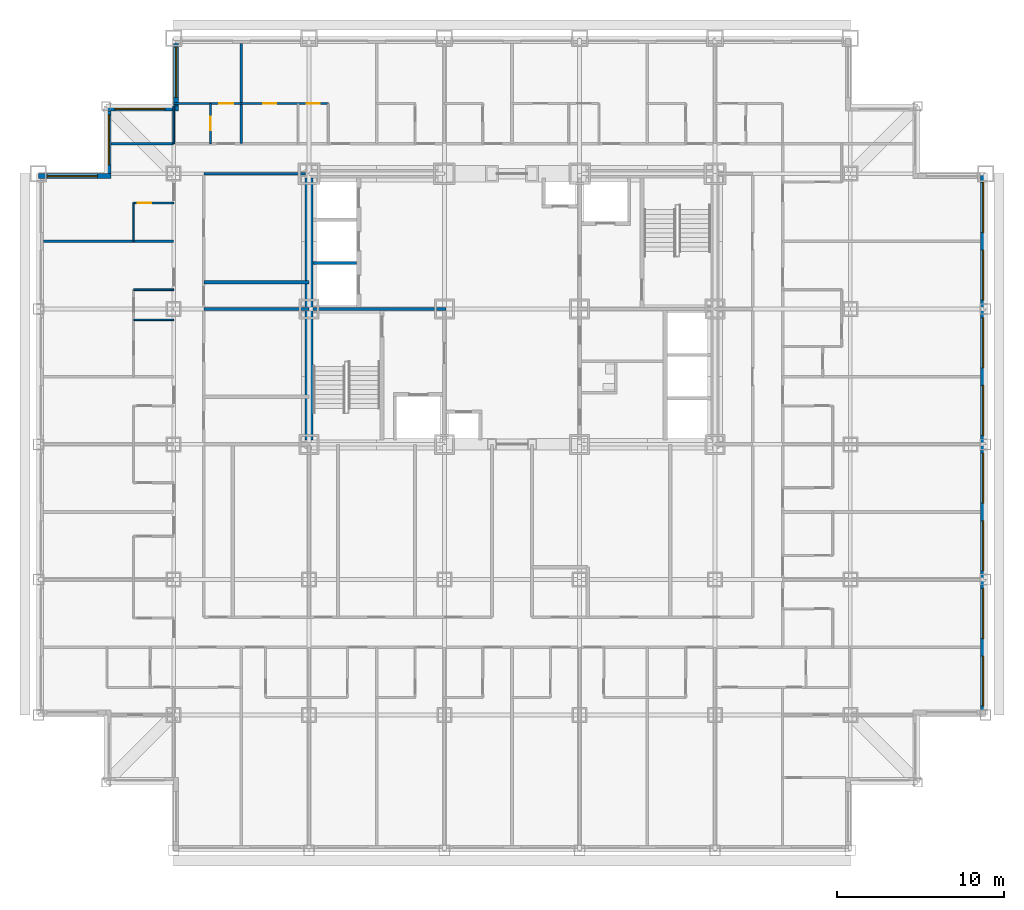
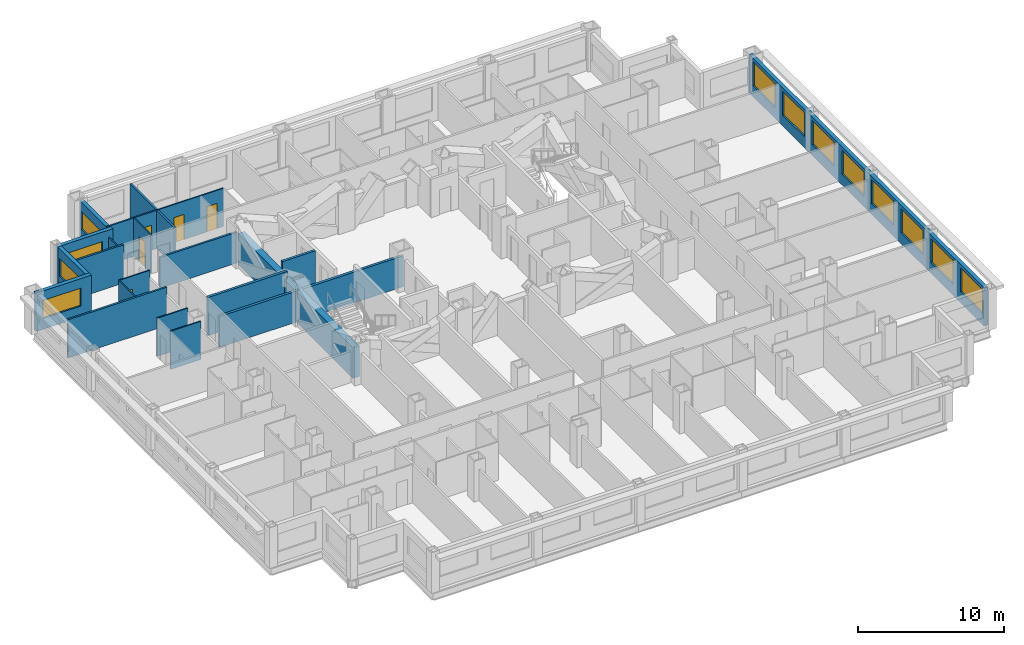
# One storey, part 8 of 13: 22 walls, 12 windows, 5 doors, 17 openings.
"""IFC4 building model written with IfcOpenShell, lengths in metres."""

import ifcopenshell
import ifcopenshell.guid

model = None  # the IFC model being written
_history = None  # IfcOwnerHistory: only IFC2X3 demands one
_inside = {}  # id of a spatial element -> (the spatial element, [elements in it])
_under = {}  # id of a project, library or spatial element -> (it, [spatial elements below it])
_declared = {}  # id of a project -> (the project, [libraries it declares])
_typed = {}  # id of a type object -> (the type object, [elements of that type])
_made_of = {}  # id of a material, layer set ... -> (it, [elements and type objects made of it])


def new_model(schema):
    """Start an empty IFC model of exactly this schema.

    Asked for "IFC4X3", IfcOpenShell would pick the latest addendum, in which some entities
    have other attributes; the version numbers below select the first issue.
    IFC2X3 requires an IfcOwnerHistory on every rooted entity: one is made here for all.
    """
    global model, _history
    if schema == "IFC4X3":
        model = ifcopenshell.file(schema_version=(4, 3, 0, 0))
    else:
        model = ifcopenshell.file(schema=schema)
    _inside.clear()
    _under.clear()
    _declared.clear()
    _typed.clear()
    _made_of.clear()
    _history = None
    if model.schema == "IFC2X3":
        org = make("IfcOrganization", Name="unknown")
        user = make(
            "IfcPersonAndOrganization",
            ThePerson=make("IfcPerson", FamilyName="unknown"),
            TheOrganization=org,
        )
        app = make(
            "IfcApplication",
            ApplicationDeveloper=org,
            Version="unknown",
            ApplicationFullName="unknown",
            ApplicationIdentifier="unknown",
        )
        _history = make(
            "IfcOwnerHistory",
            OwningUser=user,
            OwningApplication=app,
            ChangeAction="ADDED",
            CreationDate=0,
        )
    return model


def make(cls, **values):
    """One entity of the class cls with the attributes given. An attribute that is None is left unset."""
    return model.create_entity(
        cls, **{name: value for name, value in values.items() if value is not None}
    )


def rooted(cls, **values):
    """An entity with a GlobalId (a new one), such as an element, a storey or a relation."""
    return make(cls, GlobalId=ifcopenshell.guid.new(), OwnerHistory=_history, **values)


def si_unit(unit_type, name, prefix=None):
    """IfcSIUnit, for example si_unit("LENGTHUNIT", "METRE", prefix="MILLI")."""
    return make("IfcSIUnit", UnitType=unit_type, Prefix=prefix, Name=name)


def assignment(units):
    """IfcUnitAssignment: the units of a project."""
    return None if units is None else make("IfcUnitAssignment", Units=units)


def point(xyz):
    """IfcCartesianPoint."""
    return None if xyz is None else make("IfcCartesianPoint", Coordinates=xyz)


def direction(xyz):
    """IfcDirection."""
    return None if xyz is None else make("IfcDirection", DirectionRatios=xyz)


def frame(location, z_axis=None, x_axis=None):
    """IfcAxis2Placement3D, a coordinate frame: its origin and axes. An axis left out is left unset."""
    return make(
        "IfcAxis2Placement3D",
        Location=point(location),
        Axis=direction(z_axis),
        RefDirection=direction(x_axis),
    )


def frame_2d(location, x_axis=None):
    """IfcAxis2Placement2D, a coordinate frame in the plane: its origin and x axis."""
    return make(
        "IfcAxis2Placement2D", Location=point(location), RefDirection=direction(x_axis)
    )


def origin():
    """The frame at (0, 0, 0) with its axes left unset."""
    return frame((0.0, 0.0, 0.0))


def place(relative_to, where):
    """IfcLocalPlacement: puts the frame where relative to a parent placement (None: the world)."""
    return make(
        "IfcLocalPlacement", PlacementRelTo=relative_to, RelativePlacement=where
    )


def context(
    kind, dimensions, precision=None, world=None, true_north=None, identifier=None
):
    """IfcGeometricRepresentationContext, for example the 3D "Model" context."""
    return make(
        "IfcGeometricRepresentationContext",
        ContextIdentifier=identifier,
        ContextType=kind,
        CoordinateSpaceDimension=dimensions,
        Precision=precision,
        WorldCoordinateSystem=world,
        TrueNorth=true_north,
    )


def subcontext(parent, identifier, kind, view, scale=None):
    """IfcGeometricRepresentationSubContext, for example "Body" below "Model"."""
    return make(
        "IfcGeometricRepresentationSubContext",
        ContextIdentifier=identifier,
        ContextType=kind,
        ParentContext=parent,
        TargetScale=scale,
        TargetView=view,
    )


def project(units=None, contexts=None):
    """IfcProject with its units and contexts."""
    return rooted(
        "IfcProject",
        Name="project",
        RepresentationContexts=contexts,
        UnitsInContext=assignment(units),
    )


def spatial(cls, under=None, at=None, **own):
    """A site, building, storey or space (cls), placed at a placement, below another one or the project."""
    s = rooted(cls, ObjectPlacement=at, **own)
    if under is not None:
        _under.setdefault(under.id(), (under, []))[1].append(s)
    return s


def profile(cls, at=None, kind="AREA", **sizes):
    """A parametric profile (cls). Its sizes go by their IFC names, for example OverallWidth=200.0."""
    return make(cls, ProfileType=kind, Position=at, **sizes)


def rectangle(**sizes):
    """IfcRectangleProfileDef."""
    return profile("IfcRectangleProfileDef", **sizes)


def extrude(swept, where, along, depth):
    """IfcExtrudedAreaSolid: the profile swept, set in the frame where, extruded along a direction by depth."""
    return make(
        "IfcExtrudedAreaSolid",
        SweptArea=swept,
        Position=where,
        ExtrudedDirection=direction(along),
        Depth=depth,
    )


def shape(context_of_items, identifier, shape_type, items):
    """IfcShapeRepresentation: the items that make up one representation, for example the "Body"."""
    return make(
        "IfcShapeRepresentation",
        ContextOfItems=context_of_items,
        RepresentationIdentifier=identifier,
        RepresentationType=shape_type,
        Items=items,
    )


def material(Name=None, Category=None):
    """IfcMaterial."""
    return make("IfcMaterial", Name=Name, Category=Category)


def layer(
    of_material, thickness, ventilated=None, Name=None, Category=None, Priority=None
):
    """IfcMaterialLayer: one layer of a wall or slab, of a material (None: an air gap)."""
    return make(
        "IfcMaterialLayer",
        Material=of_material,
        LayerThickness=thickness,
        IsVentilated=ventilated,
        Name=Name,
        Category=Category,
        Priority=Priority,
    )


def layer_set(layers, Name=None):
    """IfcMaterialLayerSet."""
    return make("IfcMaterialLayerSet", MaterialLayers=layers, LayerSetName=Name)


def made_of(thing, what):
    """Note that an element or type object is made of a material, layer set ...; save() writes the relation."""
    if what is not None:
        _made_of.setdefault(what.id(), (what, []))[1].append(thing)
    return thing


def type_object(cls, material=None, **own):
    """A type object (cls), such as IfcWallType, which elements share."""
    return made_of(rooted(cls, **own), material)


def element(
    cls,
    number,
    at=None,
    inside=None,
    cuts=None,
    type_object=None,
    material=None,
    context=None,
    identifier="Body",
    shape_type=None,
    held_by="IfcProductDefinitionShape",
    body=None,
    shapes=None,
    **own,
):
    """One element of the class cls, such as IfcWall. Its Tag is "e" and its number.

    at: its placement. inside: the storey or other place that contains it. cuts: it is an
    opening in that element (IfcRelVoidsElement). A single representation is given by context,
    identifier, shape_type and body (its items); several are given by shapes. held_by: the class
    of the entity that holds the representations. save() writes the other relations.
    """
    e = rooted(cls, Tag="e%d" % number, ObjectPlacement=at, **own)
    if body is not None:
        shapes = [shape(context, identifier, shape_type, body)]
    if shapes is not None:
        e.Representation = make(held_by, Representations=shapes)
    if inside is not None:
        _inside.setdefault(inside.id(), (inside, []))[1].append(e)
    if cuts is not None:
        rooted(
            "IfcRelVoidsElement", RelatingBuildingElement=cuts, RelatedOpeningElement=e
        )
    if type_object is not None:
        _typed.setdefault(type_object.id(), (type_object, []))[1].append(e)
    return made_of(e, material)


def fill(opening, filler):
    """IfcRelFillsElement: the door or window that sits in an opening."""
    return rooted(
        "IfcRelFillsElement",
        RelatingOpeningElement=opening,
        RelatedBuildingElement=filler,
    )


def aggregate(whole, parts):
    """IfcRelAggregates: a whole, such as a stair, and the parts it consists of."""
    return rooted("IfcRelAggregates", RelatingObject=whole, RelatedObjects=parts)


def save(model, path):
    """Write the relations noted so far, then the file.

    IfcRelAggregates (storeys below a building ...), IfcRelContainedInSpatialStructure (elements
    in a storey), IfcRelDefinesByType, IfcRelAssociatesMaterial and IfcRelDeclares: one each for
    every whole, place, type object, material and project.
    """
    for whole, parts in _under.values():
        aggregate(whole, parts)
    for where, things in _inside.values():
        rooted(
            "IfcRelContainedInSpatialStructure",
            RelatedElements=things,
            RelatingStructure=where,
        )
    for kind, things in _typed.values():
        rooted("IfcRelDefinesByType", RelatedObjects=things, RelatingType=kind)
    for what, things in _made_of.values():
        rooted("IfcRelAssociatesMaterial", RelatedObjects=things, RelatingMaterial=what)
    for by, libraries in _declared.values():
        rooted("IfcRelDeclares", RelatingContext=by, RelatedDefinitions=libraries)
    model.write(path)


model = new_model("IFC4")

# Units and contexts
model_context = context("Model", 3, precision=1e-05, world=origin(), true_north=direction((0.0, 1.0)))
body_context = subcontext(model_context, "Body", "Model", "MODEL_VIEW")
ifc_project = project(units=[si_unit("LENGTHUNIT", "METRE"), si_unit("AREAUNIT", "SQUARE_METRE"), si_unit("VOLUMEUNIT", "CUBIC_METRE"), si_unit("PLANEANGLEUNIT", "RADIAN"), si_unit("MASSUNIT", "GRAM", prefix="KILO")], contexts=[model_context])

# Site, building, storey
site_placement = place(None, origin())
site = spatial("IfcSite", under=ifc_project, at=site_placement, CompositionType="ELEMENT")
building_placement = place(site_placement, origin())
building = spatial("IfcBuilding", under=site, at=building_placement, Name="Kopane Lantern Tower", CompositionType="ELEMENT")
storey_placement = place(building_placement, frame((0.0, 0.0, 63.60009765625)))
storey = spatial("IfcBuildingStorey", under=building, at=storey_placement, Name="L15", CompositionType="ELEMENT", Elevation=63.60009765625)

# Wall, opening, door
ifc_material_1 = material(Name="Gypsum board on steel studs", Category="steel")
ifc_layer_1 = layer(ifc_material_1, 0.1201171875)
ifc_layer_set_1 = layer_set([ifc_layer_1], Name="APARTMENT INTERNAL WALL 120")
wall_type_1 = type_object("IfcWallType", Name="APARTMENT INTERNAL WALL 120", PredefinedType="PARTITIONING", material=ifc_layer_set_1)
wall_1_placement = place(storey_placement, frame((8.10009765625, 44.699951171875, 0.0), z_axis=(0.0, 0.0, 1.0), x_axis=(1.0, 0.0, 0.0)))
wall_1 = element("IfcWall", 1, at=wall_1_placement, inside=storey, type_object=wall_type_1, Name="Apartment Internal Wall 120 L15", PredefinedType="PARTITIONING", context=body_context, shape_type="SweptSolid", body=[
    extrude(rectangle(XDim=4.0498046875, YDim=0.1201171875, at=frame_2d((2.02490234375, 0.0))), origin(), (0.0, 0.0, 1.0), 3.18994140625),
])
opening_1_placement = place(wall_1_placement, frame((2.72509765625, 0.0, 0.0)))
opening_1 = element("IfcOpeningElement", 2, at=opening_1_placement, cuts=wall_1, Name="Opening L15-082", PredefinedType="OPENING", context=body_context, shape_type="SweptSolid", body=[
    extrude(rectangle(XDim=0.85009765625, YDim=2.10009765625, at=frame_2d((0.425048828125, 1.050048828125))), frame((0.0, 0.070068359375, 0.0), z_axis=(0.0, -1.0, 0.0), x_axis=(1.0, 0.0, 0.0)), (0.0, 0.0, 1.0), 0.14013671875),
])
ifc_material_2 = material(Name="Timber door set", Category="wood")
door_type_1 = type_object("IfcDoorType", Name="DOOR D4 850x2100", OperationType="SINGLE_SWING_LEFT", PredefinedType="DOOR", material=ifc_material_2)
door_1_placement = place(opening_1_placement, origin())
door_1 = element("IfcDoor", 3, at=door_1_placement, inside=storey, type_object=door_type_1, Name="Door L15-082", OperationType="SINGLE_SWING_LEFT", OverallHeight=2.10009765625, OverallWidth=0.85009765625, PredefinedType="DOOR", context=body_context, shape_type="SweptSolid", body=[
    extrude(rectangle(XDim=0.85009765625, YDim=2.10009765625, at=frame_2d((0.425048828125, 1.050048828125))), frame((0.0, 0.02490234375, 0.0), z_axis=(0.0, -1.0, 0.0), x_axis=(1.0, 0.0, 0.0)), (0.0, 0.0, 1.0), 0.050048828125),
])
fill(opening_1, door_1)

# Wall, openings, doors
ifc_material_3 = material(Name="Moisture-resistant board on steel studs", Category="steel")
ifc_layer_2 = layer(ifc_material_3, 0.10009765625)
ifc_layer_set_2 = layer_set([ifc_layer_2], Name="BATHROOM WALL 100")
wall_type_2 = type_object("IfcWallType", Name="BATHROOM WALL 100", PredefinedType="PARTITIONING", material=ifc_layer_set_2)
wall_2_placement = place(storey_placement, frame((12.14990234375, 44.699951171875, 0.0), z_axis=(0.0, 0.0, 1.0), x_axis=(1.0, 0.0, 0.0)))
wall_2 = element("IfcWall", 4, at=wall_2_placement, inside=storey, type_object=wall_type_2, Name="Bathroom Wall 100 L15", PredefinedType="PARTITIONING", context=body_context, shape_type="SweptSolid", body=[
    extrude(rectangle(XDim=5.2001953125, YDim=0.10009765625, at=frame_2d((2.60009765625, 0.0))), origin(), (0.0, 0.0, 1.0), 3.18994140625),
])
opening_2_placement = place(wall_2_placement, frame((1.300048828125, 0.0, 0.0)))
opening_2 = element("IfcOpeningElement", 5, at=opening_2_placement, cuts=wall_2, Name="Opening L15-029", PredefinedType="OPENING", context=body_context, shape_type="SweptSolid", body=[
    extrude(rectangle(XDim=0.800048828125, YDim=2.10009765625, at=frame_2d((0.39990234375, 1.050048828125))), frame((0.0, 0.06005859375, 0.0), z_axis=(0.0, -1.0, 0.0), x_axis=(1.0, 0.0, 0.0)), (0.0, 0.0, 1.0), 0.1201171875),
])
opening_3_placement = place(wall_2_placement, frame((3.89990234375, 0.0, 0.0)))
opening_3 = element("IfcOpeningElement", 6, at=opening_3_placement, cuts=wall_2, Name="Opening L15-030", PredefinedType="OPENING", context=body_context, shape_type="SweptSolid", body=[
    extrude(rectangle(XDim=0.800048828125, YDim=2.10009765625, at=frame_2d((0.39990234375, 1.050048828125))), frame((0.0, 0.06005859375, 0.0), z_axis=(0.0, -1.0, 0.0), x_axis=(1.0, 0.0, 0.0)), (0.0, 0.0, 1.0), 0.1201171875),
])
ifc_material_4 = material(Name="Timber door set", Category="wood")
door_type_2 = type_object("IfcDoorType", Name="DOOR D2 800x2100", OperationType="SINGLE_SWING_LEFT", PredefinedType="DOOR", material=ifc_material_4)
door_2_placement = place(opening_2_placement, origin())
door_2 = element("IfcDoor", 7, at=door_2_placement, inside=storey, type_object=door_type_2, Name="Door L15-029", OperationType="SINGLE_SWING_LEFT", OverallHeight=2.10009765625, OverallWidth=0.800048828125, PredefinedType="DOOR", context=body_context, shape_type="SweptSolid", body=[
    extrude(rectangle(XDim=0.800048828125, YDim=2.10009765625, at=frame_2d((0.39990234375, 1.050048828125))), frame((0.0, 0.02490234375, 0.0), z_axis=(0.0, -1.0, 0.0), x_axis=(1.0, 0.0, 0.0)), (0.0, 0.0, 1.0), 0.050048828125),
])
fill(opening_2, door_2)
door_3_placement = place(opening_3_placement, origin())
door_3 = element("IfcDoor", 8, at=door_3_placement, inside=storey, type_object=door_type_2, Name="Door L15-030", OperationType="SINGLE_SWING_LEFT", OverallHeight=2.10009765625, OverallWidth=0.800048828125, PredefinedType="DOOR", context=body_context, shape_type="SweptSolid", body=[
    extrude(rectangle(XDim=0.800048828125, YDim=2.10009765625, at=frame_2d((0.39990234375, 1.050048828125))), frame((0.0, 0.02490234375, 0.0), z_axis=(0.0, -1.0, 0.0), x_axis=(1.0, 0.0, 0.0)), (0.0, 0.0, 1.0), 0.050048828125),
])
fill(opening_3, door_3)

# Walls
for number, where, z_axis, x_axis, name in (
    (9, (8.10009765625, 31.75, 0.0), (0.0, 0.0, 1.0), (-1.0, 0.0, 0.0), "Bathroom Wall 100 L15"),
    (10, (8.10009765625, 33.550048828125, 0.0), (0.0, 0.0, 1.0), (-1.0, 0.0, 0.0), "Bathroom Wall 100 L15"),
):
    element("IfcWall", number, at=place(storey_placement, frame(where, z_axis=z_axis, x_axis=x_axis)), inside=storey, type_object=wall_type_2, Name=name, PredefinedType="PARTITIONING", context=body_context, shape_type="SweptSolid", body=[
        extrude(rectangle(XDim=2.400146484375, YDim=0.10009765625, at=frame_2d((1.2001953125, 0.0))), origin(), (0.0, 0.0, 1.0), 3.18994140625),
    ])
wall_3_placement = place(storey_placement, frame((5.699951171875, 36.449951171875, 0.0), z_axis=(0.0, 0.0, 1.0), x_axis=(0.0, 1.0, 0.0)))
element("IfcWall", 11, at=wall_3_placement, inside=storey, type_object=wall_type_2, Name="Bathroom Wall 100 L15", PredefinedType="PARTITIONING", context=body_context, shape_type="SweptSolid", body=[
    extrude(rectangle(XDim=2.300048828125, YDim=0.10009765625, at=frame_2d((1.14990234375, 0.0))), origin(), (0.0, 0.0, 1.0), 3.18994140625),
])

# Wall, opening, door
wall_4_placement = place(storey_placement, frame((8.10009765625, 38.75, 0.0), z_axis=(0.0, 0.0, 1.0), x_axis=(-1.0, 0.0, 0.0)))
wall_4 = element("IfcWall", 12, at=wall_4_placement, inside=storey, type_object=wall_type_2, Name="Bathroom Wall 100 L15", PredefinedType="PARTITIONING", context=body_context, shape_type="SweptSolid", body=[
    extrude(rectangle(XDim=2.400146484375, YDim=0.10009765625, at=frame_2d((1.2001953125, 0.0))), origin(), (0.0, 0.0, 1.0), 3.18994140625),
])
opening_4_placement = place(wall_4_placement, frame((1.35009765625, 0.0, 0.0)))
opening_4 = element("IfcOpeningElement", 13, at=opening_4_placement, cuts=wall_4, Name="Opening L15-052", PredefinedType="OPENING", context=body_context, shape_type="SweptSolid", body=[
    extrude(rectangle(XDim=0.800048828125, YDim=2.10009765625, at=frame_2d((0.39990234375, 1.050048828125))), frame((0.0, 0.06005859375, 0.0), z_axis=(0.0, -1.0, 0.0), x_axis=(1.0, 0.0, 0.0)), (0.0, 0.0, 1.0), 0.1201171875),
])
door_4_placement = place(opening_4_placement, origin())
door_4 = element("IfcDoor", 14, at=door_4_placement, inside=storey, type_object=door_type_2, Name="Door L15-052", OperationType="SINGLE_SWING_RIGHT", OverallHeight=2.10009765625, OverallWidth=0.800048828125, PredefinedType="DOOR", context=body_context, shape_type="SweptSolid", body=[
    extrude(rectangle(XDim=0.800048828125, YDim=2.10009765625, at=frame_2d((0.39990234375, 1.050048828125))), frame((0.0, 0.02490234375, 0.0), z_axis=(0.0, -1.0, 0.0), x_axis=(1.0, 0.0, 0.0)), (0.0, 0.0, 1.0), 0.050048828125),
])
fill(opening_4, door_4)

wall_5_placement = place(storey_placement, frame((10.300048828125, 42.300048828125, 0.0), z_axis=(0.0, 0.0, 1.0), x_axis=(0.0, 1.0, 0.0)))
wall_5 = element("IfcWall", 15, at=wall_5_placement, inside=storey, type_object=wall_type_2, Name="Bathroom Wall 100 L15", PredefinedType="PARTITIONING", context=body_context, shape_type="SweptSolid", body=[
    extrude(rectangle(XDim=2.39990234375, YDim=0.10009765625, at=frame_2d((1.199951171875, 0.0))), origin(), (0.0, 0.0, 1.0), 3.18994140625),
])
opening_5_placement = place(wall_5_placement, frame((0.800048828125, 0.0, 0.0)))
opening_5 = element("IfcOpeningElement", 16, at=opening_5_placement, cuts=wall_5, Name="Opening L15-080", PredefinedType="OPENING", context=body_context, shape_type="SweptSolid", body=[
    extrude(rectangle(XDim=0.800048828125, YDim=2.10009765625, at=frame_2d((0.39990234375, 1.050048828125))), frame((0.0, 0.06005859375, 0.0), z_axis=(0.0, -1.0, 0.0), x_axis=(1.0, 0.0, 0.0)), (0.0, 0.0, 1.0), 0.1201171875),
])
door_5_placement = place(opening_5_placement, origin())
door_5 = element("IfcDoor", 17, at=door_5_placement, inside=storey, type_object=door_type_2, Name="Door L15-080", OperationType="SINGLE_SWING_LEFT", OverallHeight=2.10009765625, OverallWidth=0.800048828125, PredefinedType="DOOR", context=body_context, shape_type="SweptSolid", body=[
    extrude(rectangle(XDim=0.800048828125, YDim=2.10009765625, at=frame_2d((0.39990234375, 1.050048828125))), frame((0.0, 0.02490234375, 0.0), z_axis=(0.0, -1.0, 0.0), x_axis=(1.0, 0.0, 0.0)), (0.0, 0.0, 1.0), 0.050048828125),
])
fill(opening_5, door_5)

# Walls
wall_6_placement = place(storey_placement, frame((8.10009765625, 42.300048828125, 0.0), z_axis=(0.0, 0.0, 1.0), x_axis=(0.0, 1.0, 0.0)))
element("IfcWall", 18, at=wall_6_placement, inside=storey, type_object=wall_type_2, Name="Bathroom Wall 100 L15", PredefinedType="PARTITIONING", context=body_context, shape_type="SweptSolid", body=[
    extrude(rectangle(XDim=2.25, YDim=0.10009765625, at=frame_2d((1.125, 0.0))), origin(), (0.0, 0.0, 1.0), 2.57763671875),
])
ifc_material_5 = material(Name="Gypsum shaft wall EI 120", Category="gypsum")
ifc_layer_3 = layer(ifc_material_5, 0.5)
ifc_layer_set_3 = layer_set([ifc_layer_3], Name="CORE PERIMETER WALL 500 EI 120")
wall_type_3 = type_object("IfcWallType", Name="CORE PERIMETER WALL 500 EI 120", PredefinedType="SOLIDWALL", material=ifc_layer_set_3)
wall_7_placement = place(storey_placement, frame((16.199951171875, 24.550048828125, 0.0), z_axis=(0.0, 0.0, 1.0), x_axis=(0.0, 1.0, 0.0)))
element("IfcWall", 19, at=wall_7_placement, inside=storey, type_object=wall_type_3, Name="Core shaft wall L15 PW", PredefinedType="SOLIDWALL", context=body_context, shape_type="SweptSolid", body=[
    extrude(rectangle(XDim=15.699951171875, YDim=0.5, at=frame_2d((7.85009765625, 0.0))), origin(), (0.0, 0.0, 1.0), 2.57763671875),
])
ifc_material_6 = material(Name="Gypsum board on steel studs", Category="steel")
ifc_layer_4 = layer(ifc_material_6, 0.14990234375)
ifc_layer_set_4 = layer_set([ifc_layer_4], Name="CORRIDOR WALL 150 EI 60")
wall_type_4 = type_object("IfcWallType", Name="CORRIDOR WALL 150 EI 60", PredefinedType="PARTITIONING", material=ifc_layer_set_4)
wall_8_placement = place(storey_placement, frame((16.0, 40.5, 0.0), z_axis=(0.0, 0.0, 1.0), x_axis=(-1.0, 0.0, 0.0)))
element("IfcWall", 20, at=wall_8_placement, inside=storey, type_object=wall_type_4, Name="Corridor Wall 150 Ei 60 L15", PredefinedType="PARTITIONING", context=body_context, shape_type="SweptSolid", body=[
    extrude(rectangle(XDim=6.10009765625, YDim=0.14990234375, at=frame_2d((3.050048828125, 0.0))), origin(), (0.0, 0.0, 1.0), 2.57763671875),
])
ifc_material_7 = material(Name="Gypsum board on steel studs", Category="steel")
ifc_layer_5 = layer(ifc_material_7, 0.14990234375)
ifc_layer_set_5 = layer_set([ifc_layer_5], Name="DEMISING WALL 150 EI 60")
wall_type_5 = type_object("IfcWallType", Name="DEMISING WALL 150 EI 60", PredefinedType="PARTITIONING", material=ifc_layer_set_5)
wall_9_placement = place(storey_placement, frame((8.10009765625, 36.449951171875, 0.0), z_axis=(0.0, 0.0, 1.0), x_axis=(-1.0, 0.0, 0.0)))
element("IfcWall", 21, at=wall_9_placement, inside=storey, type_object=wall_type_5, Name="Demising Wall 150 Ei 60 L15", PredefinedType="PARTITIONING", context=body_context, shape_type="SweptSolid", body=[
    extrude(rectangle(XDim=7.800048828125, YDim=0.14990234375, at=frame_2d((3.89990234375, 0.0))), origin(), (0.0, 0.0, 1.0), 3.18994140625),
])
wall_10_placement = place(storey_placement, frame((4.35009765625, 42.300048828125, 0.0), z_axis=(0.0, 0.0, 1.0), x_axis=(1.0, 0.0, 0.0)))
element("IfcWall", 22, at=wall_10_placement, inside=storey, type_object=wall_type_5, Name="Demising Wall 150 Ei 60 L15", PredefinedType="PARTITIONING", context=body_context, shape_type="SweptSolid", body=[
    extrude(rectangle(XDim=3.75, YDim=0.14990234375, at=frame_2d((1.875, 0.0))), origin(), (0.0, 0.0, 1.0), 3.18994140625),
])
wall_11_placement = place(storey_placement, frame((12.14990234375, 42.300048828125, 0.0), z_axis=(0.0, 0.0, 1.0), x_axis=(0.0, 1.0, 0.0)))
element("IfcWall", 23, at=wall_11_placement, inside=storey, type_object=wall_type_5, Name="Demising Wall 150 Ei 60 L15", PredefinedType="PARTITIONING", context=body_context, shape_type="SweptSolid", body=[
    extrude(rectangle(XDim=6.0, YDim=0.14990234375, at=frame_2d((3.0, 0.0))), origin(), (0.0, 0.0, 1.0), 3.18994140625),
])

# Wall, openings, windows
ifc_material_8 = material(Name="Terracotta rainscreen on light steel framing", Category="masonry")
ifc_layer_6 = layer(ifc_material_8, 0.300048828125)
ifc_layer_set_6 = layer_set([ifc_layer_6], Name="EXTERNAL WALL EW1 300 TERRACOTTA")
wall_type_6 = type_object("IfcWallType", Name="EXTERNAL WALL EW1 300 TERRACOTTA", PredefinedType="SOLIDWALL", material=ifc_layer_set_6)
wall_12_placement = place(storey_placement, frame((56.550048828125, 8.39990234375, 0.0), z_axis=(0.0, 0.0, 1.0), x_axis=(0.0, 1.0, 0.0)))
wall_12 = element("IfcWall", 24, at=wall_12_placement, inside=storey, type_object=wall_type_6, Name="External wall E L15", PredefinedType="SOLIDWALL", context=body_context, shape_type="SweptSolid", body=[
    extrude(rectangle(XDim=32.10009765625, YDim=0.300048828125, at=frame_2d((16.050048828125, 0.0))), origin(), (0.0, 0.0, 1.0), 3.18994140625),
])
opening_6_placement = place(wall_12_placement, frame((0.22509765625, 0.0, 0.89990234375)))
opening_6 = element("IfcOpeningElement", 25, at=opening_6_placement, cuts=wall_12, Name="Opening WR300200", PredefinedType="OPENING", context=body_context, shape_type="SweptSolid", body=[
    extrude(rectangle(XDim=3.0, YDim=2.0, at=frame_2d((1.5, 1.0))), frame((0.0, 0.159912109375, 0.0), z_axis=(0.0, -1.0, 0.0), x_axis=(1.0, 0.0, 0.0)), (0.0, 0.0, 1.0), 0.320068359375),
])
opening_7_placement = place(wall_12_placement, frame((4.27490234375, 0.0, 0.89990234375)))
opening_7 = element("IfcOpeningElement", 26, at=opening_7_placement, cuts=wall_12, Name="Opening WR300200", PredefinedType="OPENING", context=body_context, shape_type="SweptSolid", body=[
    extrude(rectangle(XDim=3.0, YDim=2.0, at=frame_2d((1.5, 1.0))), frame((0.0, 0.159912109375, 0.0), z_axis=(0.0, -1.0, 0.0), x_axis=(1.0, 0.0, 0.0)), (0.0, 0.0, 1.0), 0.320068359375),
])
opening_8_placement = place(wall_12_placement, frame((8.324951171875, 0.0, 0.89990234375)))
opening_8 = element("IfcOpeningElement", 27, at=opening_8_placement, cuts=wall_12, Name="Opening WR300200", PredefinedType="OPENING", context=body_context, shape_type="SweptSolid", body=[
    extrude(rectangle(XDim=3.0, YDim=2.0, at=frame_2d((1.5, 1.0))), frame((0.0, 0.159912109375, 0.0), z_axis=(0.0, -1.0, 0.0), x_axis=(1.0, 0.0, 0.0)), (0.0, 0.0, 1.0), 0.320068359375),
])
opening_9_placement = place(wall_12_placement, frame((12.375, 0.0, 0.89990234375)))
opening_9 = element("IfcOpeningElement", 28, at=opening_9_placement, cuts=wall_12, Name="Opening WR300200", PredefinedType="OPENING", context=body_context, shape_type="SweptSolid", body=[
    extrude(rectangle(XDim=3.0, YDim=2.0, at=frame_2d((1.5, 1.0))), frame((0.0, 0.159912109375, 0.0), z_axis=(0.0, -1.0, 0.0), x_axis=(1.0, 0.0, 0.0)), (0.0, 0.0, 1.0), 0.320068359375),
])
opening_10_placement = place(wall_12_placement, frame((16.425048828125, 0.0, 0.89990234375)))
opening_10 = element("IfcOpeningElement", 29, at=opening_10_placement, cuts=wall_12, Name="Opening WR300200", PredefinedType="OPENING", context=body_context, shape_type="SweptSolid", body=[
    extrude(rectangle(XDim=3.0, YDim=2.0, at=frame_2d((1.5, 1.0))), frame((0.0, 0.159912109375, 0.0), z_axis=(0.0, -1.0, 0.0), x_axis=(1.0, 0.0, 0.0)), (0.0, 0.0, 1.0), 0.320068359375),
])
opening_11_placement = place(wall_12_placement, frame((20.47509765625, 0.0, 0.89990234375)))
opening_11 = element("IfcOpeningElement", 30, at=opening_11_placement, cuts=wall_12, Name="Opening WR300200", PredefinedType="OPENING", context=body_context, shape_type="SweptSolid", body=[
    extrude(rectangle(XDim=3.0, YDim=2.0, at=frame_2d((1.5, 1.0))), frame((0.0, 0.159912109375, 0.0), z_axis=(0.0, -1.0, 0.0), x_axis=(1.0, 0.0, 0.0)), (0.0, 0.0, 1.0), 0.320068359375),
])
opening_12_placement = place(wall_12_placement, frame((24.52490234375, 0.0, 0.89990234375)))
opening_12 = element("IfcOpeningElement", 31, at=opening_12_placement, cuts=wall_12, Name="Opening WR300200", PredefinedType="OPENING", context=body_context, shape_type="SweptSolid", body=[
    extrude(rectangle(XDim=3.0, YDim=2.0, at=frame_2d((1.5, 1.0))), frame((0.0, 0.159912109375, 0.0), z_axis=(0.0, -1.0, 0.0), x_axis=(1.0, 0.0, 0.0)), (0.0, 0.0, 1.0), 0.320068359375),
])
opening_13_placement = place(wall_12_placement, frame((28.574951171875, 0.0, 0.89990234375)))
opening_13 = element("IfcOpeningElement", 32, at=opening_13_placement, cuts=wall_12, Name="Opening WR300200", PredefinedType="OPENING", context=body_context, shape_type="SweptSolid", body=[
    extrude(rectangle(XDim=3.0, YDim=2.0, at=frame_2d((1.5, 1.0))), frame((0.0, 0.159912109375, 0.0), z_axis=(0.0, -1.0, 0.0), x_axis=(1.0, 0.0, 0.0)), (0.0, 0.0, 1.0), 0.320068359375),
])
ifc_material_9 = material(Name="Aluminium and clear glass", Category="aluminium")
window_type_1 = type_object("IfcWindowType", Name="RIBBON WINDOW WR300200 3000x2000", PartitioningType="SINGLE_PANEL", PredefinedType="WINDOW", material=ifc_material_9)
window_1_placement = place(opening_6_placement, origin())
window_1 = element("IfcWindow", 33, at=window_1_placement, inside=storey, type_object=window_type_1, Name="Window E L15", OverallHeight=2.0, OverallWidth=3.0, PartitioningType="SINGLE_PANEL", PredefinedType="WINDOW", context=body_context, shape_type="SweptSolid", body=[
    extrude(rectangle(XDim=3.0, YDim=2.0, at=frame_2d((1.5, 1.0))), frame((0.0, 0.030029296875, 0.0), z_axis=(0.0, -1.0, 0.0), x_axis=(1.0, 0.0, 0.0)), (0.0, 0.0, 1.0), 0.06005859375),
])
fill(opening_6, window_1)
window_2_placement = place(opening_7_placement, origin())
window_2 = element("IfcWindow", 34, at=window_2_placement, inside=storey, type_object=window_type_1, Name="Window E L15", OverallHeight=2.0, OverallWidth=3.0, PartitioningType="SINGLE_PANEL", PredefinedType="WINDOW", context=body_context, shape_type="SweptSolid", body=[
    extrude(rectangle(XDim=3.0, YDim=2.0, at=frame_2d((1.5, 1.0))), frame((0.0, 0.030029296875, 0.0), z_axis=(0.0, -1.0, 0.0), x_axis=(1.0, 0.0, 0.0)), (0.0, 0.0, 1.0), 0.06005859375),
])
fill(opening_7, window_2)
window_3_placement = place(opening_8_placement, origin())
window_3 = element("IfcWindow", 35, at=window_3_placement, inside=storey, type_object=window_type_1, Name="Window E L15", OverallHeight=2.0, OverallWidth=3.0, PartitioningType="SINGLE_PANEL", PredefinedType="WINDOW", context=body_context, shape_type="SweptSolid", body=[
    extrude(rectangle(XDim=3.0, YDim=2.0, at=frame_2d((1.5, 1.0))), frame((0.0, 0.030029296875, 0.0), z_axis=(0.0, -1.0, 0.0), x_axis=(1.0, 0.0, 0.0)), (0.0, 0.0, 1.0), 0.06005859375),
])
fill(opening_8, window_3)
window_4_placement = place(opening_9_placement, origin())
window_4 = element("IfcWindow", 36, at=window_4_placement, inside=storey, type_object=window_type_1, Name="Window E L15", OverallHeight=2.0, OverallWidth=3.0, PartitioningType="SINGLE_PANEL", PredefinedType="WINDOW", context=body_context, shape_type="SweptSolid", body=[
    extrude(rectangle(XDim=3.0, YDim=2.0, at=frame_2d((1.5, 1.0))), frame((0.0, 0.030029296875, 0.0), z_axis=(0.0, -1.0, 0.0), x_axis=(1.0, 0.0, 0.0)), (0.0, 0.0, 1.0), 0.06005859375),
])
fill(opening_9, window_4)
window_5_placement = place(opening_10_placement, origin())
window_5 = element("IfcWindow", 37, at=window_5_placement, inside=storey, type_object=window_type_1, Name="Window E L15", OverallHeight=2.0, OverallWidth=3.0, PartitioningType="SINGLE_PANEL", PredefinedType="WINDOW", context=body_context, shape_type="SweptSolid", body=[
    extrude(rectangle(XDim=3.0, YDim=2.0, at=frame_2d((1.5, 1.0))), frame((0.0, 0.030029296875, 0.0), z_axis=(0.0, -1.0, 0.0), x_axis=(1.0, 0.0, 0.0)), (0.0, 0.0, 1.0), 0.06005859375),
])
fill(opening_10, window_5)
window_6_placement = place(opening_11_placement, origin())
window_6 = element("IfcWindow", 38, at=window_6_placement, inside=storey, type_object=window_type_1, Name="Window E L15", OverallHeight=2.0, OverallWidth=3.0, PartitioningType="SINGLE_PANEL", PredefinedType="WINDOW", context=body_context, shape_type="SweptSolid", body=[
    extrude(rectangle(XDim=3.0, YDim=2.0, at=frame_2d((1.5, 1.0))), frame((0.0, 0.030029296875, 0.0), z_axis=(0.0, -1.0, 0.0), x_axis=(1.0, 0.0, 0.0)), (0.0, 0.0, 1.0), 0.06005859375),
])
fill(opening_11, window_6)
window_7_placement = place(opening_12_placement, origin())
window_7 = element("IfcWindow", 39, at=window_7_placement, inside=storey, type_object=window_type_1, Name="Window E L15", OverallHeight=2.0, OverallWidth=3.0, PartitioningType="SINGLE_PANEL", PredefinedType="WINDOW", context=body_context, shape_type="SweptSolid", body=[
    extrude(rectangle(XDim=3.0, YDim=2.0, at=frame_2d((1.5, 1.0))), frame((0.0, 0.030029296875, 0.0), z_axis=(0.0, -1.0, 0.0), x_axis=(1.0, 0.0, 0.0)), (0.0, 0.0, 1.0), 0.06005859375),
])
fill(opening_12, window_7)
window_8_placement = place(opening_13_placement, origin())
window_8 = element("IfcWindow", 40, at=window_8_placement, inside=storey, type_object=window_type_1, Name="Window E L15", OverallHeight=2.0, OverallWidth=3.0, PartitioningType="SINGLE_PANEL", PredefinedType="WINDOW", context=body_context, shape_type="SweptSolid", body=[
    extrude(rectangle(XDim=3.0, YDim=2.0, at=frame_2d((1.5, 1.0))), frame((0.0, 0.030029296875, 0.0), z_axis=(0.0, -1.0, 0.0), x_axis=(1.0, 0.0, 0.0)), (0.0, 0.0, 1.0), 0.06005859375),
])
fill(opening_13, window_8)

# Wall, opening, window
wall_13_placement = place(storey_placement, frame((8.25, 48.300048828125, 0.0), z_axis=(0.0, 0.0, 1.0), x_axis=(0.0, -1.0, 0.0)))
wall_13 = element("IfcWall", 41, at=wall_13_placement, inside=storey, type_object=wall_type_6, Name="External wall W L15", PredefinedType="SOLIDWALL", context=body_context, shape_type="SweptSolid", body=[
    extrude(rectangle(XDim=3.75, YDim=0.300048828125, at=frame_2d((1.875, 0.0))), origin(), (0.0, 0.0, 1.0), 3.18994140625),
])
opening_14_placement = place(wall_13_placement, frame((0.22509765625, 0.0, 0.89990234375)))
opening_14 = element("IfcOpeningElement", 42, at=opening_14_placement, cuts=wall_13, Name="Opening WR300150", PredefinedType="OPENING", context=body_context, shape_type="SweptSolid", body=[
    extrude(rectangle(XDim=3.0, YDim=1.5, at=frame_2d((1.5, 0.75))), frame((0.0, 0.159912109375, 0.0), z_axis=(0.0, -1.0, 0.0), x_axis=(1.0, 0.0, 0.0)), (0.0, 0.0, 1.0), 0.320068359375),
])
ifc_material_10 = material(Name="Aluminium and clear glass", Category="aluminium")
window_type_2 = type_object("IfcWindowType", Name="RIBBON WINDOW WR300150 3000x1500", PartitioningType="SINGLE_PANEL", PredefinedType="WINDOW", material=ifc_material_10)
window_9_placement = place(opening_14_placement, origin())
window_9 = element("IfcWindow", 43, at=window_9_placement, inside=storey, type_object=window_type_2, Name="Window W L15", OverallHeight=1.5, OverallWidth=3.0, PartitioningType="SINGLE_PANEL", PredefinedType="WINDOW", context=body_context, shape_type="SweptSolid", body=[
    extrude(rectangle(XDim=3.0, YDim=1.5, at=frame_2d((1.5, 0.75))), frame((0.0, 0.030029296875, 0.0), z_axis=(0.0, -1.0, 0.0), x_axis=(1.0, 0.0, 0.0)), (0.0, 0.0, 1.0), 0.06005859375),
])
fill(opening_14, window_9)

wall_14_placement = place(storey_placement, frame((8.39990234375, 44.39990234375, 0.0), z_axis=(0.0, 0.0, 1.0), x_axis=(-1.0, 0.0, 0.0)))
wall_14 = element("IfcWall", 44, at=wall_14_placement, inside=storey, type_object=wall_type_6, Name="External wall N L15", PredefinedType="SOLIDWALL", context=body_context, shape_type="SweptSolid", body=[
    extrude(rectangle(XDim=4.349853515625, YDim=0.300048828125, at=frame_2d((2.1748046875, 0.0))), origin(), (0.0, 0.0, 1.0), 3.18994140625),
])
opening_15_placement = place(wall_14_placement, frame((0.824951171875, 0.0, 0.89990234375)))
opening_15 = element("IfcOpeningElement", 45, at=opening_15_placement, cuts=wall_14, Name="Opening WR300150", PredefinedType="OPENING", context=body_context, shape_type="SweptSolid", body=[
    extrude(rectangle(XDim=3.0, YDim=1.5, at=frame_2d((1.5, 0.75))), frame((0.0, 0.159912109375, 0.0), z_axis=(0.0, -1.0, 0.0), x_axis=(1.0, 0.0, 0.0)), (0.0, 0.0, 1.0), 0.320068359375),
])
window_10_placement = place(opening_15_placement, origin())
window_10 = element("IfcWindow", 46, at=window_10_placement, inside=storey, type_object=window_type_2, Name="Window N L15", OverallHeight=1.5, OverallWidth=3.0, PartitioningType="SINGLE_PANEL", PredefinedType="WINDOW", context=body_context, shape_type="SweptSolid", body=[
    extrude(rectangle(XDim=3.0, YDim=1.5, at=frame_2d((1.5, 0.75))), frame((0.0, 0.030029296875, 0.0), z_axis=(0.0, -1.0, 0.0), x_axis=(1.0, 0.0, 0.0)), (0.0, 0.0, 1.0), 0.06005859375),
])
fill(opening_15, window_10)

wall_15_placement = place(storey_placement, frame((4.199951171875, 44.25, 0.0), z_axis=(0.0, 0.0, 1.0), x_axis=(0.0, -1.0, 0.0)))
wall_15 = element("IfcWall", 47, at=wall_15_placement, inside=storey, type_object=wall_type_6, Name="External wall W L15", PredefinedType="SOLIDWALL", context=body_context, shape_type="SweptSolid", body=[
    extrude(rectangle(XDim=3.75, YDim=0.300048828125, at=frame_2d((1.875, 0.0))), origin(), (0.0, 0.0, 1.0), 3.18994140625),
])
opening_16_placement = place(wall_15_placement, frame((0.22509765625, 0.0, 0.89990234375)))
opening_16 = element("IfcOpeningElement", 48, at=opening_16_placement, cuts=wall_15, Name="Opening WR300150", PredefinedType="OPENING", context=body_context, shape_type="SweptSolid", body=[
    extrude(rectangle(XDim=3.0, YDim=1.5, at=frame_2d((1.5, 0.75))), frame((0.0, 0.159912109375, 0.0), z_axis=(0.0, -1.0, 0.0), x_axis=(1.0, 0.0, 0.0)), (0.0, 0.0, 1.0), 0.320068359375),
])
window_11_placement = place(opening_16_placement, origin())
window_11 = element("IfcWindow", 49, at=window_11_placement, inside=storey, type_object=window_type_2, Name="Window W L15", OverallHeight=1.5, OverallWidth=3.0, PartitioningType="SINGLE_PANEL", PredefinedType="WINDOW", context=body_context, shape_type="SweptSolid", body=[
    extrude(rectangle(XDim=3.0, YDim=1.5, at=frame_2d((1.5, 0.75))), frame((0.0, 0.030029296875, 0.0), z_axis=(0.0, -1.0, 0.0), x_axis=(1.0, 0.0, 0.0)), (0.0, 0.0, 1.0), 0.06005859375),
])
fill(opening_16, window_11)

wall_16_placement = place(storey_placement, frame((4.35009765625, 40.35009765625, 0.0), z_axis=(0.0, 0.0, 1.0), x_axis=(-1.0, 0.0, 0.0)))
wall_16 = element("IfcWall", 50, at=wall_16_placement, inside=storey, type_object=wall_type_6, Name="External wall N L15", PredefinedType="SOLIDWALL", context=body_context, shape_type="SweptSolid", body=[
    extrude(rectangle(XDim=4.35009765625, YDim=0.300048828125, at=frame_2d((2.175048828125, 0.0))), origin(), (0.0, 0.0, 1.0), 3.18994140625),
])
opening_17_placement = place(wall_16_placement, frame((0.824951171875, 0.0, 0.89990234375)))
opening_17 = element("IfcOpeningElement", 51, at=opening_17_placement, cuts=wall_16, Name="Opening WR300150", PredefinedType="OPENING", context=body_context, shape_type="SweptSolid", body=[
    extrude(rectangle(XDim=3.0, YDim=1.5, at=frame_2d((1.5, 0.75))), frame((0.0, 0.159912109375, 0.0), z_axis=(0.0, -1.0, 0.0), x_axis=(1.0, 0.0, 0.0)), (0.0, 0.0, 1.0), 0.320068359375),
])
window_12_placement = place(opening_17_placement, origin())
window_12 = element("IfcWindow", 52, at=window_12_placement, inside=storey, type_object=window_type_2, Name="Window N L15", OverallHeight=1.5, OverallWidth=3.0, PartitioningType="SINGLE_PANEL", PredefinedType="WINDOW", context=body_context, shape_type="SweptSolid", body=[
    extrude(rectangle(XDim=3.0, YDim=1.5, at=frame_2d((1.5, 0.75))), frame((0.0, 0.030029296875, 0.0), z_axis=(0.0, -1.0, 0.0), x_axis=(1.0, 0.0, 0.0)), (0.0, 0.0, 1.0), 0.06005859375),
])
fill(opening_17, window_12)

# Walls
ifc_material_11 = material(Name="Concrete masonry", Category="masonry")
ifc_layer_7 = layer(ifc_material_11, 0.199951171875)
ifc_layer_set_7 = layer_set([ifc_layer_7], Name="PLANT ROOM WALL 200 EI 120")
wall_type_7 = type_object("IfcWallType", Name="PLANT ROOM WALL 200 EI 120", PredefinedType="SOLIDWALL", material=ifc_layer_set_7)
wall_17_placement = place(storey_placement, frame((9.89990234375, 32.39990234375, 0.0), z_axis=(0.0, 0.0, 1.0), x_axis=(1.0, 0.0, 0.0)))
element("IfcWall", 53, at=wall_17_placement, inside=storey, type_object=wall_type_7, Name="Plant Room Wall 200 Ei 120 L15", PredefinedType="SOLIDWALL", context=body_context, shape_type="SweptSolid", body=[
    extrude(rectangle(XDim=6.300048828125, YDim=0.199951171875, at=frame_2d((3.14990234375, 0.0))), origin(), (0.0, 0.0, 1.0), 2.57763671875),
])
wall_18_placement = place(storey_placement, frame((9.89990234375, 34.0, 0.0), z_axis=(0.0, 0.0, 1.0), x_axis=(1.0, 0.0, 0.0)))
element("IfcWall", 54, at=wall_18_placement, inside=storey, type_object=wall_type_7, Name="Plant Room Wall 200 Ei 120 L15", PredefinedType="SOLIDWALL", context=body_context, shape_type="SweptSolid", body=[
    extrude(rectangle(XDim=6.300048828125, YDim=0.199951171875, at=frame_2d((3.14990234375, 0.0))), origin(), (0.0, 0.0, 1.0), 3.18994140625),
])
ifc_material_12 = material(Name="Gypsum shaft wall EI 120", Category="gypsum")
ifc_layer_8 = layer(ifc_material_12, 0.199951171875)
ifc_layer_set_8 = layer_set([ifc_layer_8], Name="SHAFT WALL 200 EI 120")
wall_type_8 = type_object("IfcWallType", Name="SHAFT WALL 200 EI 120", PredefinedType="SOLIDWALL", material=ifc_layer_set_8)
wall_19_placement = place(storey_placement, frame((16.449951171875, 32.39990234375, 0.0), z_axis=(0.0, 0.0, 1.0), x_axis=(1.0, 0.0, 0.0)))
element("IfcWall", 55, at=wall_19_placement, inside=storey, type_object=wall_type_8, Name="Core shaft wall L15 Y324W", PredefinedType="SOLIDWALL", context=body_context, shape_type="SweptSolid", body=[
    extrude(rectangle(XDim=7.949951171875, YDim=0.199951171875, at=frame_2d((3.97509765625, 0.0))), origin(), (0.0, 0.0, 1.0), 2.57763671875),
])
wall_20_placement = place(storey_placement, frame((16.449951171875, 35.14990234375, 0.0), z_axis=(0.0, 0.0, 1.0), x_axis=(1.0, 0.0, 0.0)))
element("IfcWall", 56, at=wall_20_placement, inside=storey, type_object=wall_type_8, Name="Core shaft wall L15 YLH12", PredefinedType="SOLIDWALL", context=body_context, shape_type="SweptSolid", body=[
    extrude(rectangle(XDim=2.60009765625, YDim=0.199951171875, at=frame_2d((1.300048828125, 0.0))), origin(), (0.0, 0.0, 1.0), 3.18994140625),
])

save(model, "model.ifc")
